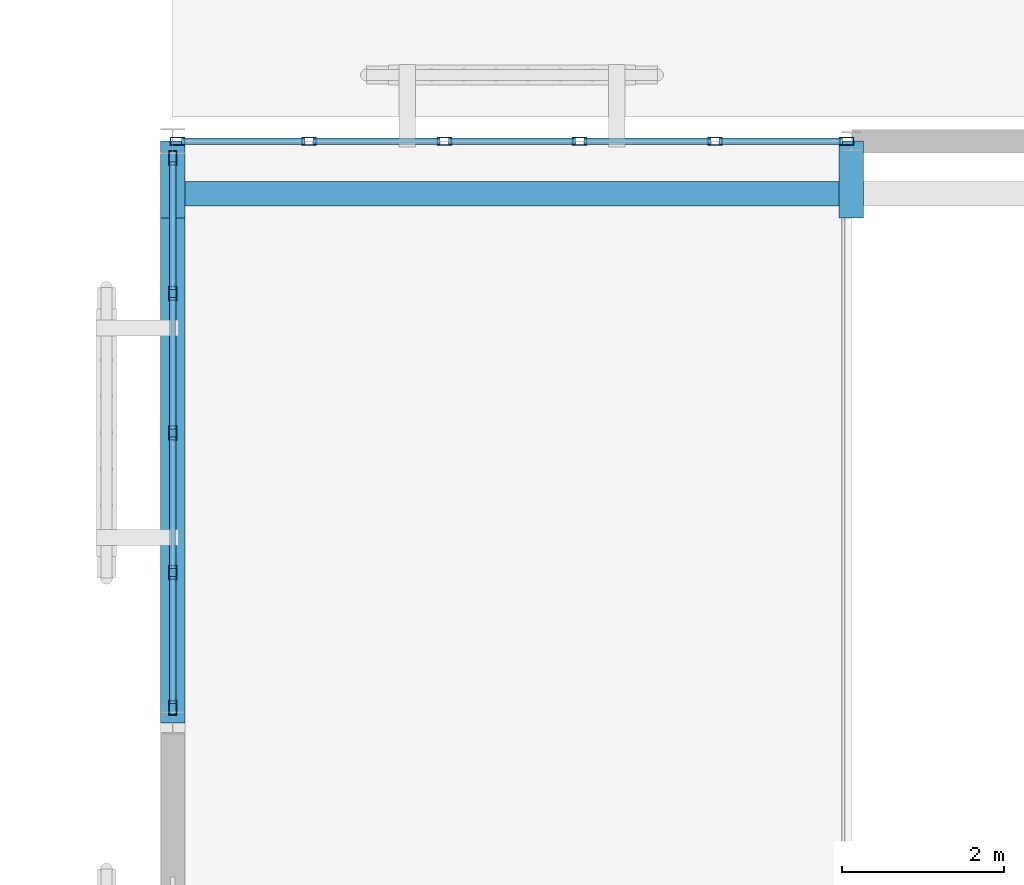
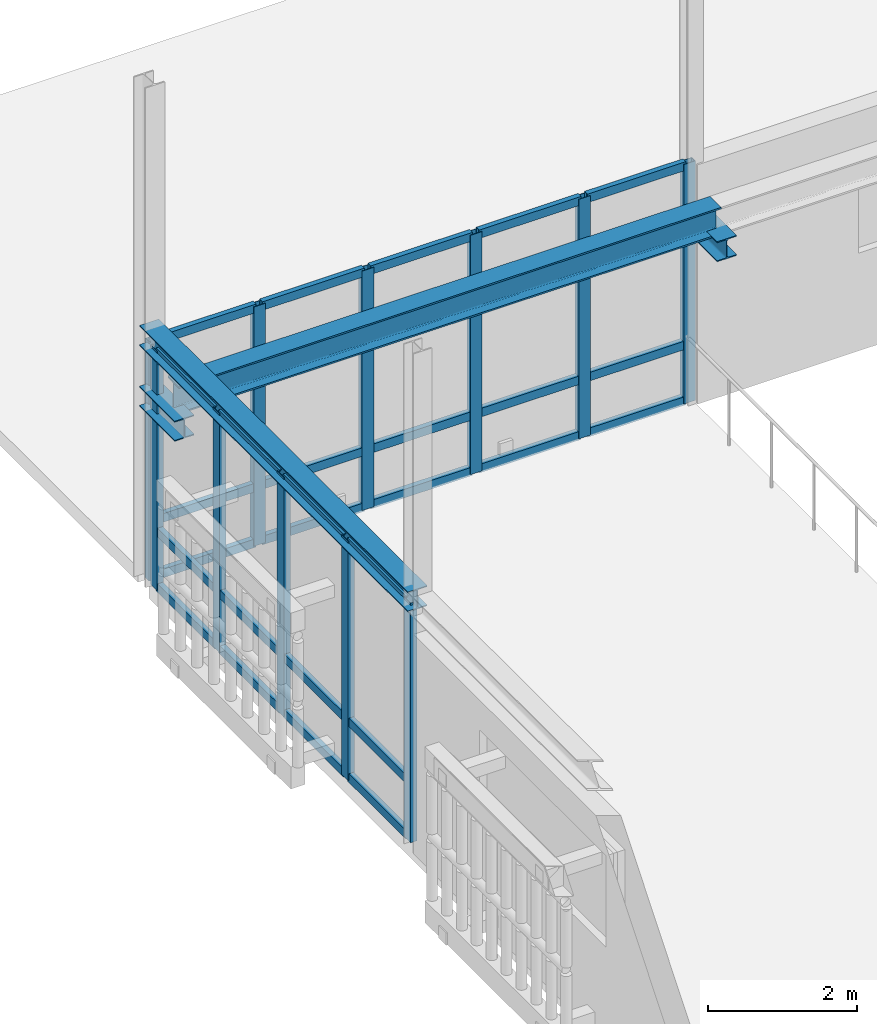
# One storey, part 72 of 170: 38 members, 4 beams, 2 elements without a shape of their own.
"""IFC4 building model written with IfcOpenShell, lengths in metres."""

import ifcopenshell
import ifcopenshell.guid

model = None  # the IFC model being written
_history = None  # IfcOwnerHistory: only IFC2X3 demands one
_inside = {}  # id of a spatial element -> (the spatial element, [elements in it])
_under = {}  # id of a project, library or spatial element -> (it, [spatial elements below it])
_declared = {}  # id of a project -> (the project, [libraries it declares])
_typed = {}  # id of a type object -> (the type object, [elements of that type])
_made_of = {}  # id of a material, layer set ... -> (it, [elements and type objects made of it])


def new_model(schema):
    """Start an empty IFC model of exactly this schema.

    Asked for "IFC4X3", IfcOpenShell would pick the latest addendum, in which some entities
    have other attributes; the version numbers below select the first issue.
    IFC2X3 requires an IfcOwnerHistory on every rooted entity: one is made here for all.
    """
    global model, _history
    if schema == "IFC4X3":
        model = ifcopenshell.file(schema_version=(4, 3, 0, 0))
    else:
        model = ifcopenshell.file(schema=schema)
    _inside.clear()
    _under.clear()
    _declared.clear()
    _typed.clear()
    _made_of.clear()
    _history = None
    if model.schema == "IFC2X3":
        org = make("IfcOrganization", Name="unknown")
        user = make(
            "IfcPersonAndOrganization",
            ThePerson=make("IfcPerson", FamilyName="unknown"),
            TheOrganization=org,
        )
        app = make(
            "IfcApplication",
            ApplicationDeveloper=org,
            Version="unknown",
            ApplicationFullName="unknown",
            ApplicationIdentifier="unknown",
        )
        _history = make(
            "IfcOwnerHistory",
            OwningUser=user,
            OwningApplication=app,
            ChangeAction="ADDED",
            CreationDate=0,
        )
    return model


def make(cls, **values):
    """One entity of the class cls with the attributes given. An attribute that is None is left unset."""
    return model.create_entity(
        cls, **{name: value for name, value in values.items() if value is not None}
    )


def rooted(cls, **values):
    """An entity with a GlobalId (a new one), such as an element, a storey or a relation."""
    return make(cls, GlobalId=ifcopenshell.guid.new(), OwnerHistory=_history, **values)


def si_unit(unit_type, name, prefix=None):
    """IfcSIUnit, for example si_unit("LENGTHUNIT", "METRE", prefix="MILLI")."""
    return make("IfcSIUnit", UnitType=unit_type, Prefix=prefix, Name=name)


def assignment(units):
    """IfcUnitAssignment: the units of a project."""
    return None if units is None else make("IfcUnitAssignment", Units=units)


def point(xyz):
    """IfcCartesianPoint."""
    return None if xyz is None else make("IfcCartesianPoint", Coordinates=xyz)


def direction(xyz):
    """IfcDirection."""
    return None if xyz is None else make("IfcDirection", DirectionRatios=xyz)


def frame(location, z_axis=None, x_axis=None):
    """IfcAxis2Placement3D, a coordinate frame: its origin and axes. An axis left out is left unset."""
    return make(
        "IfcAxis2Placement3D",
        Location=point(location),
        Axis=direction(z_axis),
        RefDirection=direction(x_axis),
    )


def frame_2d(location, x_axis=None):
    """IfcAxis2Placement2D, a coordinate frame in the plane: its origin and x axis."""
    return make(
        "IfcAxis2Placement2D", Location=point(location), RefDirection=direction(x_axis)
    )


def origin():
    """The frame at (0, 0, 0) with its axes left unset."""
    return frame((0.0, 0.0, 0.0))


def origin_2d():
    """The frame at (0, 0) in the plane with its x axis left unset."""
    return frame_2d((0.0, 0.0))


def place(relative_to, where):
    """IfcLocalPlacement: puts the frame where relative to a parent placement (None: the world)."""
    return make(
        "IfcLocalPlacement", PlacementRelTo=relative_to, RelativePlacement=where
    )


def context(
    kind, dimensions, precision=None, world=None, true_north=None, identifier=None
):
    """IfcGeometricRepresentationContext, for example the 3D "Model" context."""
    return make(
        "IfcGeometricRepresentationContext",
        ContextIdentifier=identifier,
        ContextType=kind,
        CoordinateSpaceDimension=dimensions,
        Precision=precision,
        WorldCoordinateSystem=world,
        TrueNorth=true_north,
    )


def subcontext(parent, identifier, kind, view, scale=None):
    """IfcGeometricRepresentationSubContext, for example "Body" below "Model"."""
    return make(
        "IfcGeometricRepresentationSubContext",
        ContextIdentifier=identifier,
        ContextType=kind,
        ParentContext=parent,
        TargetScale=scale,
        TargetView=view,
    )


def project(units=None, contexts=None):
    """IfcProject with its units and contexts."""
    return rooted(
        "IfcProject",
        Name="project",
        RepresentationContexts=contexts,
        UnitsInContext=assignment(units),
    )


def spatial(cls, under=None, at=None, **own):
    """A site, building, storey or space (cls), placed at a placement, below another one or the project."""
    s = rooted(cls, ObjectPlacement=at, **own)
    if under is not None:
        _under.setdefault(under.id(), (under, []))[1].append(s)
    return s


def profile(cls, at=None, kind="AREA", **sizes):
    """A parametric profile (cls). Its sizes go by their IFC names, for example OverallWidth=200.0."""
    return make(cls, ProfileType=kind, Position=at, **sizes)


def hollow_rectangle(**sizes):
    """IfcRectangleHollowProfileDef."""
    return profile("IfcRectangleHollowProfileDef", **sizes)


def i_section(**sizes):
    """IfcIShapeProfileDef."""
    return profile("IfcIShapeProfileDef", **sizes)


def extrude(swept, where, along, depth):
    """IfcExtrudedAreaSolid: the profile swept, set in the frame where, extruded along a direction by depth."""
    return make(
        "IfcExtrudedAreaSolid",
        SweptArea=swept,
        Position=where,
        ExtrudedDirection=direction(along),
        Depth=depth,
    )


def shape(context_of_items, identifier, shape_type, items):
    """IfcShapeRepresentation: the items that make up one representation, for example the "Body"."""
    return make(
        "IfcShapeRepresentation",
        ContextOfItems=context_of_items,
        RepresentationIdentifier=identifier,
        RepresentationType=shape_type,
        Items=items,
    )


def material(Name=None, Category=None):
    """IfcMaterial."""
    return make("IfcMaterial", Name=Name, Category=Category)


def layer(
    of_material, thickness, ventilated=None, Name=None, Category=None, Priority=None
):
    """IfcMaterialLayer: one layer of a wall or slab, of a material (None: an air gap)."""
    return make(
        "IfcMaterialLayer",
        Material=of_material,
        LayerThickness=thickness,
        IsVentilated=ventilated,
        Name=Name,
        Category=Category,
        Priority=Priority,
    )


def layer_set(layers, Name=None):
    """IfcMaterialLayerSet."""
    return make("IfcMaterialLayerSet", MaterialLayers=layers, LayerSetName=Name)


def material_profile(
    of_material, cross_section, Name=None, Category=None, Priority=None
):
    """IfcMaterialProfile: a cross section and its material."""
    return make(
        "IfcMaterialProfile",
        Name=Name,
        Material=of_material,
        Profile=cross_section,
        Priority=Priority,
        Category=Category,
    )


def profile_set(profiles, Name=None, composite=None):
    """IfcMaterialProfileSet."""
    return make(
        "IfcMaterialProfileSet",
        Name=Name,
        MaterialProfiles=profiles,
        CompositeProfile=composite,
    )


def made_of(thing, what):
    """Note that an element or type object is made of a material, layer set ...; save() writes the relation."""
    if what is not None:
        _made_of.setdefault(what.id(), (what, []))[1].append(thing)
    return thing


def type_object(cls, material=None, **own):
    """A type object (cls), such as IfcWallType, which elements share."""
    return made_of(rooted(cls, **own), material)


def element(
    cls,
    number,
    at=None,
    inside=None,
    cuts=None,
    type_object=None,
    material=None,
    context=None,
    identifier="Body",
    shape_type=None,
    held_by="IfcProductDefinitionShape",
    body=None,
    shapes=None,
    **own,
):
    """One element of the class cls, such as IfcWall. Its Tag is "e" and its number.

    at: its placement. inside: the storey or other place that contains it. cuts: it is an
    opening in that element (IfcRelVoidsElement). A single representation is given by context,
    identifier, shape_type and body (its items); several are given by shapes. held_by: the class
    of the entity that holds the representations. save() writes the other relations.
    """
    e = rooted(cls, Tag="e%d" % number, ObjectPlacement=at, **own)
    if body is not None:
        shapes = [shape(context, identifier, shape_type, body)]
    if shapes is not None:
        e.Representation = make(held_by, Representations=shapes)
    if inside is not None:
        _inside.setdefault(inside.id(), (inside, []))[1].append(e)
    if cuts is not None:
        rooted(
            "IfcRelVoidsElement", RelatingBuildingElement=cuts, RelatedOpeningElement=e
        )
    if type_object is not None:
        _typed.setdefault(type_object.id(), (type_object, []))[1].append(e)
    return made_of(e, material)


def aggregate(whole, parts):
    """IfcRelAggregates: a whole, such as a stair, and the parts it consists of."""
    return rooted("IfcRelAggregates", RelatingObject=whole, RelatedObjects=parts)


def save(model, path):
    """Write the relations noted so far, then the file.

    IfcRelAggregates (storeys below a building ...), IfcRelContainedInSpatialStructure (elements
    in a storey), IfcRelDefinesByType, IfcRelAssociatesMaterial and IfcRelDeclares: one each for
    every whole, place, type object, material and project.
    """
    for whole, parts in _under.values():
        aggregate(whole, parts)
    for where, things in _inside.values():
        rooted(
            "IfcRelContainedInSpatialStructure",
            RelatedElements=things,
            RelatingStructure=where,
        )
    for kind, things in _typed.values():
        rooted("IfcRelDefinesByType", RelatedObjects=things, RelatingType=kind)
    for what, things in _made_of.values():
        rooted("IfcRelAssociatesMaterial", RelatedObjects=things, RelatingMaterial=what)
    for by, libraries in _declared.values():
        rooted("IfcRelDeclares", RelatingContext=by, RelatedDefinitions=libraries)
    model.write(path)


model = new_model("IFC4")

# Units and contexts
model_context = context("Model", 3, precision=1e-05, world=origin(), true_north=direction((0.0, 1.0)))
body_context = subcontext(model_context, "Body", "Model", "MODEL_VIEW")
ifc_project = project(units=[si_unit("LENGTHUNIT", "METRE"), si_unit("AREAUNIT", "SQUARE_METRE"), si_unit("VOLUMEUNIT", "CUBIC_METRE"), si_unit("PLANEANGLEUNIT", "RADIAN"), si_unit("MASSUNIT", "GRAM", prefix="KILO")], contexts=[model_context])

# Site, building, storey
site_placement = place(None, origin())
site = spatial("IfcSite", under=ifc_project, at=site_placement, CompositionType="ELEMENT")
building_placement = place(site_placement, origin())
building = spatial("IfcBuilding", under=site, at=building_placement, Name="Mazaris Harbour Polytechnic", CompositionType="ELEMENT")
storey_placement = place(building_placement, frame((0.0, 0.0, 5.39990234375)))
storey = spatial("IfcBuildingStorey", under=building, at=storey_placement, Name="L01", CompositionType="ELEMENT", Elevation=5.39990234375)

# Beam
ifc_material_1 = material(Name="Steel S355", Category="steel")
ifc_material_profile_1 = material_profile(ifc_material_1, i_section(OverallWidth=0.300048828125, OverallDepth=0.449951171875, WebThickness=0.013916015625, FlangeThickness=0.02587890625, FilletRadius=0.027099609375, at=origin_2d()), Name="HEB 450")
ifc_profile_set_1 = profile_set([ifc_material_profile_1], Name="Steel S355")
beam_type_1 = type_object("IfcBeamType", Name="Crane Runway HEB450", PredefinedType="USERDEFINED", material=ifc_profile_set_1)
beam_1_placement = place(storey_placement, frame((54.0, 107.35009765625, 3.400146484375), z_axis=(1.0, 0.0, 0.0), x_axis=(0.0, 1.0, 0.0)))
element("IfcBeam", 1, at=beam_1_placement, inside=storey, type_object=beam_type_1, Name="V1 10t Bridge Crane Runway 8", ObjectType="CRANE RUNWAY", PredefinedType="USERDEFINED", context=body_context, shape_type="SweptSolid", body=[
    extrude(i_section(OverallWidth=0.300048828125, OverallDepth=0.449951171875, WebThickness=0.013916015625, FlangeThickness=0.02587890625, FilletRadius=0.027099609375, at=origin_2d()), origin(), (0.0, 0.0, 1.0), 8.39990234375),
])

# Curtain wall, members
ifc_material_2 = material(Name="Anodised Bronze Aluminium and Low-E Glass", Category="aluminium")
ifc_layer = layer(ifc_material_2, 0.14990234375, Name="Anodised Bronze Aluminium and Low-E Glass")
ifc_layer_set = layer_set([ifc_layer], Name="Anodised Bronze Aluminium and Low-E Glass")
curtain_wall_type = type_object("IfcCurtainWallType", Name="Workshop Clerestory Curtain Wall", PredefinedType="NOTDEFINED", material=ifc_layer_set)
curtain_wall_1_placement = place(storey_placement, origin())
curtain_wall_1 = element("IfcCurtainWall", 2, at=curtain_wall_1_placement, inside=storey, type_object=curtain_wall_type, Name="V1 L01 Curtain Wall 17", PredefinedType="NOTDEFINED")
ifc_material_3 = material(Name="Anodised Bronze Steel S355", Category="steel")
ifc_material_profile_2 = material_profile(ifc_material_3, hollow_rectangle(XDim=0.10009765625, YDim=0.179931640625, WallThickness=0.008056640625, at=origin_2d()), Name="RHS 100x180x8.0")
ifc_profile_set_2 = profile_set([ifc_material_profile_2], Name="Anodised Bronze Steel S355")
member_type_1 = type_object("IfcMemberType", Name="Curtain Mullion RHS100x180", PredefinedType="MULLION", material=ifc_profile_set_2)
member_1_placement = place(storey_placement, frame((54.05810546875, 108.0, 0.0), z_axis=(0.0, 0.0, 1.0), x_axis=(0.0, 1.0, 0.0)))
member_1 = element("IfcMember", 3, at=member_1_placement, type_object=member_type_1, Name="CW-04 mullion 1", PredefinedType="MULLION", context=body_context, shape_type="SweptSolid", body=[
    extrude(hollow_rectangle(XDim=0.10009765625, YDim=0.179931640625, WallThickness=0.008056640625, at=origin_2d()), origin(), (0.0, 0.0, 1.0), 3.920166015625),
])
member_2_placement = place(storey_placement, frame((55.684814453125, 108.0, 0.0), z_axis=(0.0, 0.0, 1.0), x_axis=(0.0, 1.0, 0.0)))
member_2 = element("IfcMember", 4, at=member_2_placement, type_object=member_type_1, Name="CW-04 mullion 2", PredefinedType="MULLION", context=body_context, shape_type="SweptSolid", body=[
    extrude(hollow_rectangle(XDim=0.10009765625, YDim=0.179931640625, WallThickness=0.008056640625, at=origin_2d()), origin(), (0.0, 0.0, 1.0), 3.920166015625),
])
member_3_placement = place(storey_placement, frame((57.361572265625, 108.0, 0.0), z_axis=(0.0, 0.0, 1.0), x_axis=(0.0, 1.0, 0.0)))
member_3 = element("IfcMember", 5, at=member_3_placement, type_object=member_type_1, Name="CW-04 mullion 3", PredefinedType="MULLION", context=body_context, shape_type="SweptSolid", body=[
    extrude(hollow_rectangle(XDim=0.10009765625, YDim=0.179931640625, WallThickness=0.008056640625, at=origin_2d()), origin(), (0.0, 0.0, 1.0), 3.920166015625),
])
member_4_placement = place(storey_placement, frame((59.038330078125, 108.0, 0.0), z_axis=(0.0, 0.0, 1.0), x_axis=(0.0, 1.0, 0.0)))
member_4 = element("IfcMember", 6, at=member_4_placement, type_object=member_type_1, Name="CW-04 mullion 4", PredefinedType="MULLION", context=body_context, shape_type="SweptSolid", body=[
    extrude(hollow_rectangle(XDim=0.10009765625, YDim=0.179931640625, WallThickness=0.008056640625, at=origin_2d()), origin(), (0.0, 0.0, 1.0), 3.920166015625),
])
member_5_placement = place(storey_placement, frame((60.715087890625, 108.0, 0.0), z_axis=(0.0, 0.0, 1.0), x_axis=(0.0, 1.0, 0.0)))
member_5 = element("IfcMember", 7, at=member_5_placement, type_object=member_type_1, Name="CW-04 mullion 5", PredefinedType="MULLION", context=body_context, shape_type="SweptSolid", body=[
    extrude(hollow_rectangle(XDim=0.10009765625, YDim=0.179931640625, WallThickness=0.008056640625, at=origin_2d()), origin(), (0.0, 0.0, 1.0), 3.920166015625),
])
member_6_placement = place(storey_placement, frame((62.342041015625, 108.0, 0.0), z_axis=(0.0, 0.0, 1.0), x_axis=(0.0, 1.0, 0.0)))
member_6 = element("IfcMember", 8, at=member_6_placement, type_object=member_type_1, Name="CW-04 mullion 6", PredefinedType="MULLION", context=body_context, shape_type="SweptSolid", body=[
    extrude(hollow_rectangle(XDim=0.10009765625, YDim=0.179931640625, WallThickness=0.008056640625, at=origin_2d()), origin(), (0.0, 0.0, 1.0), 3.920166015625),
])

curtain_wall_2_placement = place(storey_placement, origin())
curtain_wall_2 = element("IfcCurtainWall", 9, at=curtain_wall_2_placement, inside=storey, type_object=curtain_wall_type, Name="V1 L01 Curtain Wall 22", PredefinedType="NOTDEFINED")
member_7_placement = place(storey_placement, frame((54.0, 100.987060546875, 0.0), z_axis=(0.0, 0.0, 1.0), x_axis=(-1.0, 0.0, 0.0)))
member_7 = element("IfcMember", 10, at=member_7_placement, type_object=member_type_1, Name="CW-04 mullion 1", PredefinedType="MULLION", context=body_context, shape_type="SweptSolid", body=[
    extrude(hollow_rectangle(XDim=0.10009765625, YDim=0.179931640625, WallThickness=0.008056640625, at=origin_2d()), origin(), (0.0, 0.0, 1.0), 3.920166015625),
])
member_8_placement = place(storey_placement, frame((54.0, 102.66357421875, 0.0), z_axis=(0.0, 0.0, 1.0), x_axis=(-1.0, 0.0, 0.0)))
member_8 = element("IfcMember", 11, at=member_8_placement, type_object=member_type_1, Name="CW-04 mullion 2", PredefinedType="MULLION", context=body_context, shape_type="SweptSolid", body=[
    extrude(hollow_rectangle(XDim=0.10009765625, YDim=0.179931640625, WallThickness=0.008056640625, at=origin_2d()), origin(), (0.0, 0.0, 1.0), 3.920166015625),
])
member_9_placement = place(storey_placement, frame((54.0, 104.389892578125, 0.0), z_axis=(0.0, 0.0, 1.0), x_axis=(-1.0, 0.0, 0.0)))
member_9 = element("IfcMember", 12, at=member_9_placement, type_object=member_type_1, Name="CW-04 mullion 3", PredefinedType="MULLION", context=body_context, shape_type="SweptSolid", body=[
    extrude(hollow_rectangle(XDim=0.10009765625, YDim=0.179931640625, WallThickness=0.008056640625, at=origin_2d()), origin(), (0.0, 0.0, 1.0), 3.920166015625),
])
member_10_placement = place(storey_placement, frame((54.0, 106.116455078125, 0.0), z_axis=(0.0, 0.0, 1.0), x_axis=(-1.0, 0.0, 0.0)))
member_10 = element("IfcMember", 13, at=member_10_placement, type_object=member_type_1, Name="CW-04 mullion 4", PredefinedType="MULLION", context=body_context, shape_type="SweptSolid", body=[
    extrude(hollow_rectangle(XDim=0.10009765625, YDim=0.179931640625, WallThickness=0.008056640625, at=origin_2d()), origin(), (0.0, 0.0, 1.0), 3.920166015625),
])
member_11_placement = place(storey_placement, frame((54.0, 107.79296875, 0.0), z_axis=(0.0, 0.0, 1.0), x_axis=(-1.0, 0.0, 0.0)))
member_11 = element("IfcMember", 14, at=member_11_placement, type_object=member_type_1, Name="CW-04 mullion 5", PredefinedType="MULLION", context=body_context, shape_type="SweptSolid", body=[
    extrude(hollow_rectangle(XDim=0.10009765625, YDim=0.179931640625, WallThickness=0.008056640625, at=origin_2d()), origin(), (0.0, 0.0, 1.0), 3.920166015625),
])

# Member
ifc_material_4 = material(Name="Anodised Bronze Steel S355", Category="steel")
ifc_material_profile_3 = material_profile(ifc_material_4, hollow_rectangle(XDim=0.080078125, YDim=0.139892578125, WallThickness=0.00634765625, at=origin_2d()), Name="RHS 80x140x6.3")
ifc_profile_set_3 = profile_set([ifc_material_profile_3], Name="Anodised Bronze Steel S355")
member_type_2 = type_object("IfcMemberType", Name="Curtain Transom RHS80x140", PredefinedType="USERDEFINED", material=ifc_profile_set_3)
member_12_placement = place(storey_placement, frame((54.10791015625, 108.0, 0.0400390625), z_axis=(1.0, 0.0, 0.0), x_axis=(0.0, 1.0, 0.0)))
member_12 = element("IfcMember", 15, at=member_12_placement, type_object=member_type_2, Name="CW-04 transom 1.1", ObjectType="TRANSOM", PredefinedType="USERDEFINED", context=body_context, shape_type="SweptSolid", body=[
    extrude(hollow_rectangle(XDim=0.080078125, YDim=0.139892578125, WallThickness=0.00634765625, at=origin_2d()), origin(), (0.0, 0.0, 1.0), 1.52685546875),
])

member_13_placement = place(storey_placement, frame((54.10791015625, 108.0, 0.9501953125), z_axis=(1.0, 0.0, 0.0), x_axis=(0.0, 1.0, 0.0)))
member_13 = element("IfcMember", 16, at=member_13_placement, type_object=member_type_2, Name="CW-04 transom 1.2", ObjectType="TRANSOM", PredefinedType="USERDEFINED", context=body_context, shape_type="SweptSolid", body=[
    extrude(hollow_rectangle(XDim=0.080078125, YDim=0.139892578125, WallThickness=0.00634765625, at=origin_2d()), origin(), (0.0, 0.0, 1.0), 1.52685546875),
])

member_14_placement = place(storey_placement, frame((54.10791015625, 108.0, 3.880126953125), z_axis=(1.0, 0.0, 0.0), x_axis=(0.0, 1.0, 0.0)))
member_14 = element("IfcMember", 17, at=member_14_placement, type_object=member_type_2, Name="CW-04 transom 1.3", ObjectType="TRANSOM", PredefinedType="USERDEFINED", context=body_context, shape_type="SweptSolid", body=[
    extrude(hollow_rectangle(XDim=0.080078125, YDim=0.139892578125, WallThickness=0.00634765625, at=origin_2d()), origin(), (0.0, 0.0, 1.0), 1.52685546875),
])

member_15_placement = place(storey_placement, frame((55.73486328125, 108.0, 0.0400390625), z_axis=(1.0, 0.0, 0.0), x_axis=(0.0, 1.0, 0.0)))
member_15 = element("IfcMember", 18, at=member_15_placement, type_object=member_type_2, Name="CW-04 transom 2.1", ObjectType="TRANSOM", PredefinedType="USERDEFINED", context=body_context, shape_type="SweptSolid", body=[
    extrude(hollow_rectangle(XDim=0.080078125, YDim=0.139892578125, WallThickness=0.00634765625, at=origin_2d()), origin(), (0.0, 0.0, 1.0), 1.57666015625),
])

member_16_placement = place(storey_placement, frame((55.73486328125, 108.0, 0.9501953125), z_axis=(1.0, 0.0, 0.0), x_axis=(0.0, 1.0, 0.0)))
member_16 = element("IfcMember", 19, at=member_16_placement, type_object=member_type_2, Name="CW-04 transom 2.2", ObjectType="TRANSOM", PredefinedType="USERDEFINED", context=body_context, shape_type="SweptSolid", body=[
    extrude(hollow_rectangle(XDim=0.080078125, YDim=0.139892578125, WallThickness=0.00634765625, at=origin_2d()), origin(), (0.0, 0.0, 1.0), 1.57666015625),
])

member_17_placement = place(storey_placement, frame((55.73486328125, 108.0, 3.880126953125), z_axis=(1.0, 0.0, 0.0), x_axis=(0.0, 1.0, 0.0)))
member_17 = element("IfcMember", 20, at=member_17_placement, type_object=member_type_2, Name="CW-04 transom 2.3", ObjectType="TRANSOM", PredefinedType="USERDEFINED", context=body_context, shape_type="SweptSolid", body=[
    extrude(hollow_rectangle(XDim=0.080078125, YDim=0.139892578125, WallThickness=0.00634765625, at=origin_2d()), origin(), (0.0, 0.0, 1.0), 1.57666015625),
])

member_18_placement = place(storey_placement, frame((57.41162109375, 108.0, 0.0400390625), z_axis=(1.0, 0.0, 0.0), x_axis=(0.0, 1.0, 0.0)))
member_18 = element("IfcMember", 21, at=member_18_placement, type_object=member_type_2, Name="CW-04 transom 3.1", ObjectType="TRANSOM", PredefinedType="USERDEFINED", context=body_context, shape_type="SweptSolid", body=[
    extrude(hollow_rectangle(XDim=0.080078125, YDim=0.139892578125, WallThickness=0.00634765625, at=origin_2d()), origin(), (0.0, 0.0, 1.0), 1.57666015625),
])

member_19_placement = place(storey_placement, frame((57.41162109375, 108.0, 0.9501953125), z_axis=(1.0, 0.0, 0.0), x_axis=(0.0, 1.0, 0.0)))
member_19 = element("IfcMember", 22, at=member_19_placement, type_object=member_type_2, Name="CW-04 transom 3.2", ObjectType="TRANSOM", PredefinedType="USERDEFINED", context=body_context, shape_type="SweptSolid", body=[
    extrude(hollow_rectangle(XDim=0.080078125, YDim=0.139892578125, WallThickness=0.00634765625, at=origin_2d()), origin(), (0.0, 0.0, 1.0), 1.57666015625),
])

member_20_placement = place(storey_placement, frame((57.41162109375, 108.0, 3.880126953125), z_axis=(1.0, 0.0, 0.0), x_axis=(0.0, 1.0, 0.0)))
member_20 = element("IfcMember", 23, at=member_20_placement, type_object=member_type_2, Name="CW-04 transom 3.3", ObjectType="TRANSOM", PredefinedType="USERDEFINED", context=body_context, shape_type="SweptSolid", body=[
    extrude(hollow_rectangle(XDim=0.080078125, YDim=0.139892578125, WallThickness=0.00634765625, at=origin_2d()), origin(), (0.0, 0.0, 1.0), 1.57666015625),
])

member_21_placement = place(storey_placement, frame((59.08837890625, 108.0, 0.0400390625), z_axis=(1.0, 0.0, 0.0), x_axis=(0.0, 1.0, 0.0)))
member_21 = element("IfcMember", 24, at=member_21_placement, type_object=member_type_2, Name="CW-04 transom 4.1", ObjectType="TRANSOM", PredefinedType="USERDEFINED", context=body_context, shape_type="SweptSolid", body=[
    extrude(hollow_rectangle(XDim=0.080078125, YDim=0.139892578125, WallThickness=0.00634765625, at=origin_2d()), origin(), (0.0, 0.0, 1.0), 1.576904296875),
])

member_22_placement = place(storey_placement, frame((59.08837890625, 108.0, 0.9501953125), z_axis=(1.0, 0.0, 0.0), x_axis=(0.0, 1.0, 0.0)))
member_22 = element("IfcMember", 25, at=member_22_placement, type_object=member_type_2, Name="CW-04 transom 4.2", ObjectType="TRANSOM", PredefinedType="USERDEFINED", context=body_context, shape_type="SweptSolid", body=[
    extrude(hollow_rectangle(XDim=0.080078125, YDim=0.139892578125, WallThickness=0.00634765625, at=origin_2d()), origin(), (0.0, 0.0, 1.0), 1.576904296875),
])

member_23_placement = place(storey_placement, frame((59.08837890625, 108.0, 3.880126953125), z_axis=(1.0, 0.0, 0.0), x_axis=(0.0, 1.0, 0.0)))
member_23 = element("IfcMember", 26, at=member_23_placement, type_object=member_type_2, Name="CW-04 transom 4.3", ObjectType="TRANSOM", PredefinedType="USERDEFINED", context=body_context, shape_type="SweptSolid", body=[
    extrude(hollow_rectangle(XDim=0.080078125, YDim=0.139892578125, WallThickness=0.00634765625, at=origin_2d()), origin(), (0.0, 0.0, 1.0), 1.576904296875),
])

member_24_placement = place(storey_placement, frame((60.76513671875, 108.0, 0.0400390625), z_axis=(1.0, 0.0, 0.0), x_axis=(0.0, 1.0, 0.0)))
member_24 = element("IfcMember", 27, at=member_24_placement, type_object=member_type_2, Name="CW-04 transom 5.1", ObjectType="TRANSOM", PredefinedType="USERDEFINED", context=body_context, shape_type="SweptSolid", body=[
    extrude(hollow_rectangle(XDim=0.080078125, YDim=0.139892578125, WallThickness=0.00634765625, at=origin_2d()), origin(), (0.0, 0.0, 1.0), 1.52685546875),
])

member_25_placement = place(storey_placement, frame((60.76513671875, 108.0, 0.9501953125), z_axis=(1.0, 0.0, 0.0), x_axis=(0.0, 1.0, 0.0)))
member_25 = element("IfcMember", 28, at=member_25_placement, type_object=member_type_2, Name="CW-04 transom 5.2", ObjectType="TRANSOM", PredefinedType="USERDEFINED", context=body_context, shape_type="SweptSolid", body=[
    extrude(hollow_rectangle(XDim=0.080078125, YDim=0.139892578125, WallThickness=0.00634765625, at=origin_2d()), origin(), (0.0, 0.0, 1.0), 1.52685546875),
])

member_26_placement = place(storey_placement, frame((60.76513671875, 108.0, 3.880126953125), z_axis=(1.0, 0.0, 0.0), x_axis=(0.0, 1.0, 0.0)))
member_26 = element("IfcMember", 29, at=member_26_placement, type_object=member_type_2, Name="CW-04 transom 5.3", ObjectType="TRANSOM", PredefinedType="USERDEFINED", context=body_context, shape_type="SweptSolid", body=[
    extrude(hollow_rectangle(XDim=0.080078125, YDim=0.139892578125, WallThickness=0.00634765625, at=origin_2d()), origin(), (0.0, 0.0, 1.0), 1.52685546875),
])

aggregate(curtain_wall_1, [member_1, member_2, member_3, member_4, member_5, member_6, member_12, member_13, member_14, member_15, member_16, member_17, member_18, member_19, member_20, member_21, member_22, member_23, member_24, member_25, member_26])

member_27_placement = place(storey_placement, frame((54.0, 101.037109375, 0.0400390625), z_axis=(0.0, 1.0, 0.0), x_axis=(-1.0, 0.0, 0.0)))
member_27 = element("IfcMember", 30, at=member_27_placement, type_object=member_type_2, Name="CW-04 transom 1.1", ObjectType="TRANSOM", PredefinedType="USERDEFINED", context=body_context, shape_type="SweptSolid", body=[
    extrude(hollow_rectangle(XDim=0.080078125, YDim=0.139892578125, WallThickness=0.00634765625, at=origin_2d()), origin(), (0.0, 0.0, 1.0), 1.576416015625),
])

member_28_placement = place(storey_placement, frame((54.0, 101.037109375, 0.9501953125), z_axis=(0.0, 1.0, 0.0), x_axis=(-1.0, 0.0, 0.0)))
member_28 = element("IfcMember", 31, at=member_28_placement, type_object=member_type_2, Name="CW-04 transom 1.2", ObjectType="TRANSOM", PredefinedType="USERDEFINED", context=body_context, shape_type="SweptSolid", body=[
    extrude(hollow_rectangle(XDim=0.080078125, YDim=0.139892578125, WallThickness=0.00634765625, at=origin_2d()), origin(), (0.0, 0.0, 1.0), 1.576416015625),
])

member_29_placement = place(storey_placement, frame((54.0, 101.037109375, 3.880126953125), z_axis=(0.0, 1.0, 0.0), x_axis=(-1.0, 0.0, 0.0)))
member_29 = element("IfcMember", 32, at=member_29_placement, type_object=member_type_2, Name="CW-04 transom 1.3", ObjectType="TRANSOM", PredefinedType="USERDEFINED", context=body_context, shape_type="SweptSolid", body=[
    extrude(hollow_rectangle(XDim=0.080078125, YDim=0.139892578125, WallThickness=0.00634765625, at=origin_2d()), origin(), (0.0, 0.0, 1.0), 1.576416015625),
])

member_30_placement = place(storey_placement, frame((54.0, 102.71337890625, 0.0400390625), z_axis=(0.0, 1.0, 0.0), x_axis=(-1.0, 0.0, 0.0)))
member_30 = element("IfcMember", 33, at=member_30_placement, type_object=member_type_2, Name="CW-04 transom 2.1", ObjectType="TRANSOM", PredefinedType="USERDEFINED", context=body_context, shape_type="SweptSolid", body=[
    extrude(hollow_rectangle(XDim=0.080078125, YDim=0.139892578125, WallThickness=0.00634765625, at=origin_2d()), origin(), (0.0, 0.0, 1.0), 1.626708984375),
])

member_31_placement = place(storey_placement, frame((54.0, 102.71337890625, 0.9501953125), z_axis=(0.0, 1.0, 0.0), x_axis=(-1.0, 0.0, 0.0)))
member_31 = element("IfcMember", 34, at=member_31_placement, type_object=member_type_2, Name="CW-04 transom 2.2", ObjectType="TRANSOM", PredefinedType="USERDEFINED", context=body_context, shape_type="SweptSolid", body=[
    extrude(hollow_rectangle(XDim=0.080078125, YDim=0.139892578125, WallThickness=0.00634765625, at=origin_2d()), origin(), (0.0, 0.0, 1.0), 1.626708984375),
])

member_32_placement = place(storey_placement, frame((54.0, 102.71337890625, 3.880126953125), z_axis=(0.0, 1.0, 0.0), x_axis=(-1.0, 0.0, 0.0)))
member_32 = element("IfcMember", 35, at=member_32_placement, type_object=member_type_2, Name="CW-04 transom 2.3", ObjectType="TRANSOM", PredefinedType="USERDEFINED", context=body_context, shape_type="SweptSolid", body=[
    extrude(hollow_rectangle(XDim=0.080078125, YDim=0.139892578125, WallThickness=0.00634765625, at=origin_2d()), origin(), (0.0, 0.0, 1.0), 1.626708984375),
])

member_33_placement = place(storey_placement, frame((54.0, 104.43994140625, 0.0400390625), z_axis=(0.0, 1.0, 0.0), x_axis=(-1.0, 0.0, 0.0)))
member_33 = element("IfcMember", 36, at=member_33_placement, type_object=member_type_2, Name="CW-04 transom 3.1", ObjectType="TRANSOM", PredefinedType="USERDEFINED", context=body_context, shape_type="SweptSolid", body=[
    extrude(hollow_rectangle(XDim=0.080078125, YDim=0.139892578125, WallThickness=0.00634765625, at=origin_2d()), origin(), (0.0, 0.0, 1.0), 1.62646484375),
])

member_34_placement = place(storey_placement, frame((54.0, 104.43994140625, 0.9501953125), z_axis=(0.0, 1.0, 0.0), x_axis=(-1.0, 0.0, 0.0)))
member_34 = element("IfcMember", 37, at=member_34_placement, type_object=member_type_2, Name="CW-04 transom 3.2", ObjectType="TRANSOM", PredefinedType="USERDEFINED", context=body_context, shape_type="SweptSolid", body=[
    extrude(hollow_rectangle(XDim=0.080078125, YDim=0.139892578125, WallThickness=0.00634765625, at=origin_2d()), origin(), (0.0, 0.0, 1.0), 1.62646484375),
])

member_35_placement = place(storey_placement, frame((54.0, 104.43994140625, 3.880126953125), z_axis=(0.0, 1.0, 0.0), x_axis=(-1.0, 0.0, 0.0)))
member_35 = element("IfcMember", 38, at=member_35_placement, type_object=member_type_2, Name="CW-04 transom 3.3", ObjectType="TRANSOM", PredefinedType="USERDEFINED", context=body_context, shape_type="SweptSolid", body=[
    extrude(hollow_rectangle(XDim=0.080078125, YDim=0.139892578125, WallThickness=0.00634765625, at=origin_2d()), origin(), (0.0, 0.0, 1.0), 1.62646484375),
])

member_36_placement = place(storey_placement, frame((54.0, 106.16650390625, 0.0400390625), z_axis=(0.0, 1.0, 0.0), x_axis=(-1.0, 0.0, 0.0)))
member_36 = element("IfcMember", 39, at=member_36_placement, type_object=member_type_2, Name="CW-04 transom 4.1", ObjectType="TRANSOM", PredefinedType="USERDEFINED", context=body_context, shape_type="SweptSolid", body=[
    extrude(hollow_rectangle(XDim=0.080078125, YDim=0.139892578125, WallThickness=0.00634765625, at=origin_2d()), origin(), (0.0, 0.0, 1.0), 1.576416015625),
])

member_37_placement = place(storey_placement, frame((54.0, 106.16650390625, 0.9501953125), z_axis=(0.0, 1.0, 0.0), x_axis=(-1.0, 0.0, 0.0)))
member_37 = element("IfcMember", 40, at=member_37_placement, type_object=member_type_2, Name="CW-04 transom 4.2", ObjectType="TRANSOM", PredefinedType="USERDEFINED", context=body_context, shape_type="SweptSolid", body=[
    extrude(hollow_rectangle(XDim=0.080078125, YDim=0.139892578125, WallThickness=0.00634765625, at=origin_2d()), origin(), (0.0, 0.0, 1.0), 1.576416015625),
])

member_38_placement = place(storey_placement, frame((54.0, 106.16650390625, 3.880126953125), z_axis=(0.0, 1.0, 0.0), x_axis=(-1.0, 0.0, 0.0)))
member_38 = element("IfcMember", 41, at=member_38_placement, type_object=member_type_2, Name="CW-04 transom 4.3", ObjectType="TRANSOM", PredefinedType="USERDEFINED", context=body_context, shape_type="SweptSolid", body=[
    extrude(hollow_rectangle(XDim=0.080078125, YDim=0.139892578125, WallThickness=0.00634765625, at=origin_2d()), origin(), (0.0, 0.0, 1.0), 1.576416015625),
])

aggregate(curtain_wall_2, [member_7, member_8, member_9, member_10, member_11, member_27, member_28, member_29, member_30, member_31, member_32, member_33, member_34, member_35, member_36, member_37, member_38])

# Beams
ifc_material_5 = material(Name="Steel S355", Category="steel")
ifc_material_profile_4 = material_profile(ifc_material_5, i_section(OverallWidth=0.300048828125, OverallDepth=0.330078125, WebThickness=0.009521484375, FlangeThickness=0.0166015625, FilletRadius=0.027099609375, at=origin_2d()), Name="HEA 340")
ifc_profile_set_4 = profile_set([ifc_material_profile_4], Name="Steel S355")
beam_type_2 = type_object("IfcBeamType", Name="Steel Beam HEA340", PredefinedType="BEAM", material=ifc_profile_set_4)
for number, where, z_axis, x_axis, name in (
    (42, (54.0, 108.0, 3.0400390625), (0.0, -1.0, 0.0), (1.0, 0.0, 0.0), "V1 Crane Corbel Bracket 3563"),
    (43, (62.39990234375, 108.0, 3.0400390625), (0.0, -1.0, 0.0), (1.0, 0.0, 0.0), "V1 Crane Corbel Bracket 3564"),
):
    element("IfcBeam", number, at=place(storey_placement, frame(where, z_axis=z_axis, x_axis=x_axis)), inside=storey, type_object=beam_type_2, Name=name, PredefinedType="BEAM", context=body_context, shape_type="SweptSolid", body=[
        extrude(i_section(OverallWidth=0.300048828125, OverallDepth=0.330078125, WebThickness=0.009521484375, FlangeThickness=0.0166015625, FilletRadius=0.027099609375, at=origin_2d()), origin(), (0.0, 0.0, 1.0), 0.949951171875),
    ])
ifc_material_6 = material(Name="Steel S355", Category="steel")
ifc_material_profile_5 = material_profile(ifc_material_6, i_section(OverallWidth=0.300048828125, OverallDepth=0.330078125, WebThickness=0.009521484375, FlangeThickness=0.0166015625, FilletRadius=0.027099609375, at=origin_2d()), Name="HEA 340")
ifc_profile_set_5 = profile_set([ifc_material_profile_5], Name="Steel S355")
beam_type_3 = type_object("IfcBeamType", Name="Steel Beam HEA340 Exterior", PredefinedType="BEAM", material=ifc_profile_set_5)
beam_2_placement = place(storey_placement, frame((54.0, 100.800048828125, 4.03515625), z_axis=(0.0, 1.0, 0.0), x_axis=(-1.0, 0.0, 0.0)))
element("IfcBeam", 44, at=beam_2_placement, inside=storey, type_object=beam_type_3, Name="V1 L01 Tie Girder 256", PredefinedType="BEAM", context=body_context, shape_type="SweptSolid", body=[
    extrude(i_section(OverallWidth=0.300048828125, OverallDepth=0.330078125, WebThickness=0.009521484375, FlangeThickness=0.0166015625, FilletRadius=0.027099609375, at=origin_2d()), origin(), (0.0, 0.0, 1.0), 7.199951171875),
])

save(model, "model.ifc")
